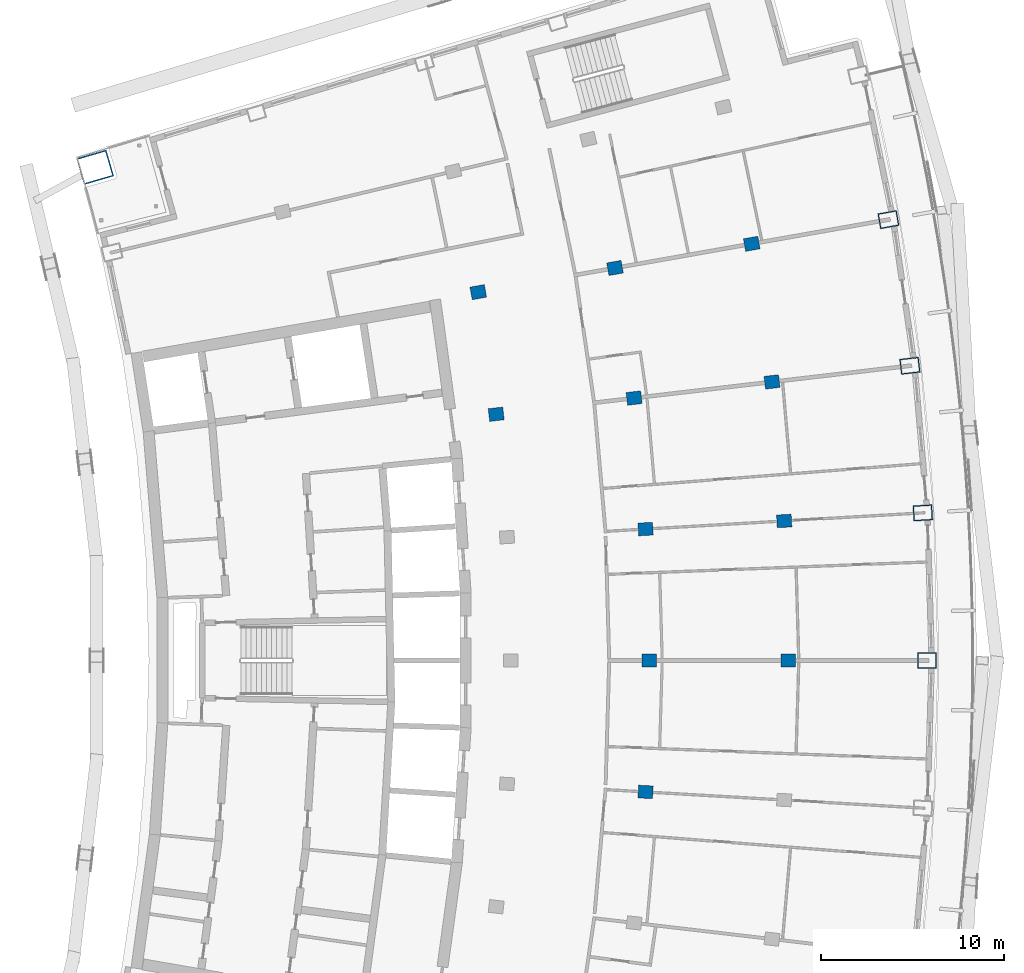
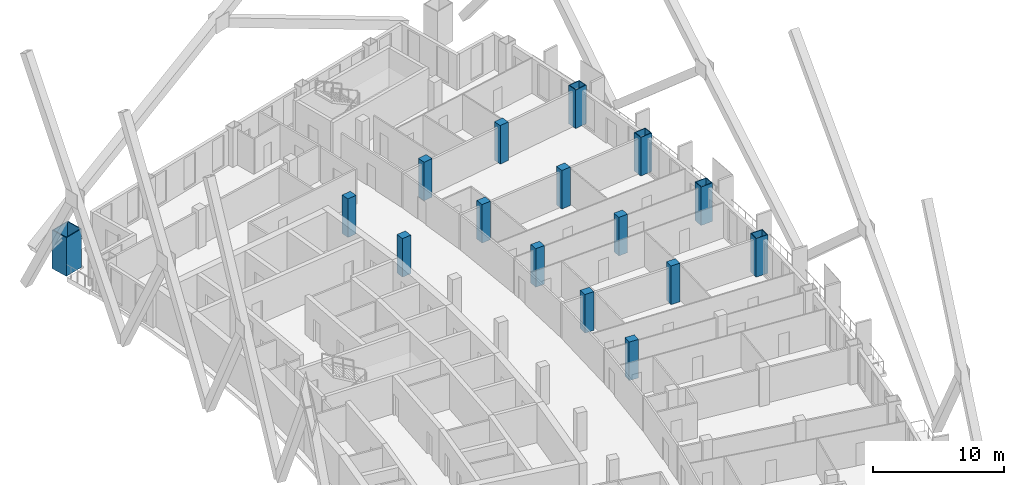
# One storey, part 6 of 20: 16 columns.
"""IFC4 building model written with IfcOpenShell, lengths in metres."""

from ifc_helpers import new_model, si_unit, direction, frame, origin, origin_2d, place, context, subcontext, project, spatial, rectangle, hollow_rectangle, extrude, material, material_profile, profile_set, type_object, element, save


model = new_model("IFC4")

# Units and contexts
model_context = context("Model", 3, precision=1e-05, world=origin(), true_north=direction((0.0, 1.0)))
body_context = subcontext(model_context, "Body", "Model", "MODEL_VIEW")
ifc_project = project(units=[si_unit("LENGTHUNIT", "METRE"), si_unit("AREAUNIT", "SQUARE_METRE"), si_unit("VOLUMEUNIT", "CUBIC_METRE"), si_unit("PLANEANGLEUNIT", "RADIAN"), si_unit("MASSUNIT", "GRAM", prefix="KILO")], contexts=[model_context])

# Site, building, storey
site_placement = place(None, origin())
site = spatial("IfcSite", under=ifc_project, at=site_placement, CompositionType="ELEMENT")
building_placement = place(site_placement, origin())
building = spatial("IfcBuilding", under=site, at=building_placement, Name="Alderwake Tower", CompositionType="ELEMENT")
storey_placement = place(building_placement, frame((0.0, 0.0, 189.199951171875)))
storey = spatial("IfcBuildingStorey", under=building, at=storey_placement, Name="L46", CompositionType="ELEMENT", Elevation=189.199951171875)

# Columns
ifc_material_1 = material(Name="Concrete C70/85", Category="concrete")
ifc_material_profile_1 = material_profile(ifc_material_1, rectangle(XDim=0.699951171875, YDim=0.800048828125, at=origin_2d()), Name="RC 800X700")
ifc_profile_set_1 = profile_set([ifc_material_profile_1], Name="Concrete C70/85")
column_type_1 = type_object("IfcColumnType", Name="Interior column Z4", PredefinedType="COLUMN", material=ifc_profile_set_1)
for number, where, z_axis, x_axis, name in (
    (1, (43.190185546875, 53.8056640625, 0.0), (0.0, 0.0, 1.0), (0.058301061284, 0.998299046505, 0.0), "Column R06-C3"),
    (2, (43.39990234375, 61.0, 0.0), (0.0, 0.0, 1.0), (0.0, 1.0, 0.0), "Column R07-C3"),
    (3, (51.0, 61.0, 0.0), (0.0, 0.0, 1.0), (0.0, 1.0, 0.0), "Column R07-C4"),
    (4, (43.190185546875, 68.1943359375, 0.0), (0.0, 0.0, 1.0), (-0.058301061284, 0.998299046505, 0.0), "Column R08-C3"),
    (5, (50.777099609375, 68.63720703125, 0.0), (0.0, 0.0, 1.0), (-0.058299318924, 0.998299148258, 0.0), "Column R08-C4"),
    (6, (35.0126953125, 74.4794921875, 0.0), (0.0, 0.0, 1.0), (-0.116402054316, 0.993202175668, 0.0), "Column R09-C2"),
    (7, (42.56103515625, 75.364013671875, 0.0), (0.0, 0.0, 1.0), (-0.116402054316, 0.993202175668, 0.0), "Column R09-C3"),
    (8, (50.109619140625, 76.248779296875, 0.0), (0.0, 0.0, 1.0), (-0.116402054316, 0.993202175668, 0.0), "Column R09-C4"),
    (9, (34.03125, 81.16162109375, 0.0), (0.0, 0.0, 1.0), (-0.174108800747, 0.984726421654, 0.0), "Column R10-C2"),
    (10, (41.515380859375, 82.48486328125, 0.0), (0.0, 0.0, 1.0), (-0.174107082075, 0.984726725529, 0.0), "Column R10-C3"),
    (11, (48.999267578125, 83.80810546875, 0.0), (0.0, 0.0, 1.0), (-0.174108800747, 0.984726421654, 0.0), "Column R10-C4"),
):
    element("IfcColumn", number, at=place(storey_placement, frame(where, z_axis=z_axis, x_axis=x_axis)), inside=storey, type_object=column_type_1, Name=name, PredefinedType="COLUMN", context=body_context, shape_type="SweptSolid", body=[
        extrude(rectangle(XDim=0.699951171875, YDim=0.800048828125, at=origin_2d()), origin(), (0.0, 0.0, 1.0), 3.60009765625),
    ])
ifc_material_2 = material(Name="Steel ASTM A572 Grade 50 concrete filled C70/85", Category="concrete")
ifc_material_profile_2 = material_profile(ifc_material_2, hollow_rectangle(XDim=1.5, YDim=1.699951171875, WallThickness=0.074951171875, at=origin_2d()), Name="BOX 1700X1500X75")
ifc_profile_set_2 = profile_set([ifc_material_profile_2], Name="Steel ASTM A572 Grade 50 concrete filled C70/85")
column_type_2 = type_object("IfcColumnType", Name="Mega column Z4", PredefinedType="COLUMN", material=ifc_profile_set_2)
column_placement = place(storey_placement, frame((13.06298828125, 87.99755859375, 0.0), z_axis=(0.0, 0.0, 1.0), x_axis=(-0.278612301868, 0.960403657452, 0.0)))
element("IfcColumn", 12, at=column_placement, inside=storey, type_object=column_type_2, Name="Column R12-C0", PredefinedType="COLUMN", context=body_context, shape_type="SweptSolid", body=[
    extrude(hollow_rectangle(XDim=1.5, YDim=1.699951171875, WallThickness=0.074951171875, at=origin_2d()), origin(), (0.0, 0.0, 1.0), 3.60009765625),
])
ifc_material_3 = material(Name="Steel ASTM A572 Grade 50 concrete filled C70/85", Category="concrete")
ifc_material_profile_3 = material_profile(ifc_material_3, hollow_rectangle(XDim=0.85009765625, YDim=1.050048828125, WallThickness=0.054931640625, at=origin_2d()), Name="BOX 1050X850X55")
ifc_profile_set_3 = profile_set([ifc_material_profile_3], Name="Steel ASTM A572 Grade 50 concrete filled C70/85")
column_type_3 = type_object("IfcColumnType", Name="Perimeter column Z4", PredefinedType="COLUMN", material=ifc_profile_set_3)
for number, where, z_axis, x_axis, name in (
    (13, (58.60009765625, 61.0, 0.0), (0.0, 0.0, 1.0), (0.0, 1.0, 0.0), "Column R07-C5"),
    (14, (58.3642578125, 69.080322265625, 0.0), (0.0, 0.0, 1.0), (-0.058299318924, 0.998299148258, 0.0), "Column R08-C5"),
    (15, (57.65771484375, 77.13330078125, 0.0), (0.0, 0.0, 1.0), (-0.116402054316, 0.993202175668, 0.0), "Column R09-C5"),
    (16, (56.483154296875, 85.13134765625, 0.0), (0.0, 0.0, 1.0), (-0.174108800747, 0.984726421654, 0.0), "Column R10-C5"),
):
    element("IfcColumn", number, at=place(storey_placement, frame(where, z_axis=z_axis, x_axis=x_axis)), inside=storey, type_object=column_type_3, Name=name, PredefinedType="COLUMN", context=body_context, shape_type="SweptSolid", body=[
        extrude(hollow_rectangle(XDim=0.85009765625, YDim=1.050048828125, WallThickness=0.054931640625, at=origin_2d()), origin(), (0.0, 0.0, 1.0), 3.60009765625),
    ])

save(model, "model.ifc")
